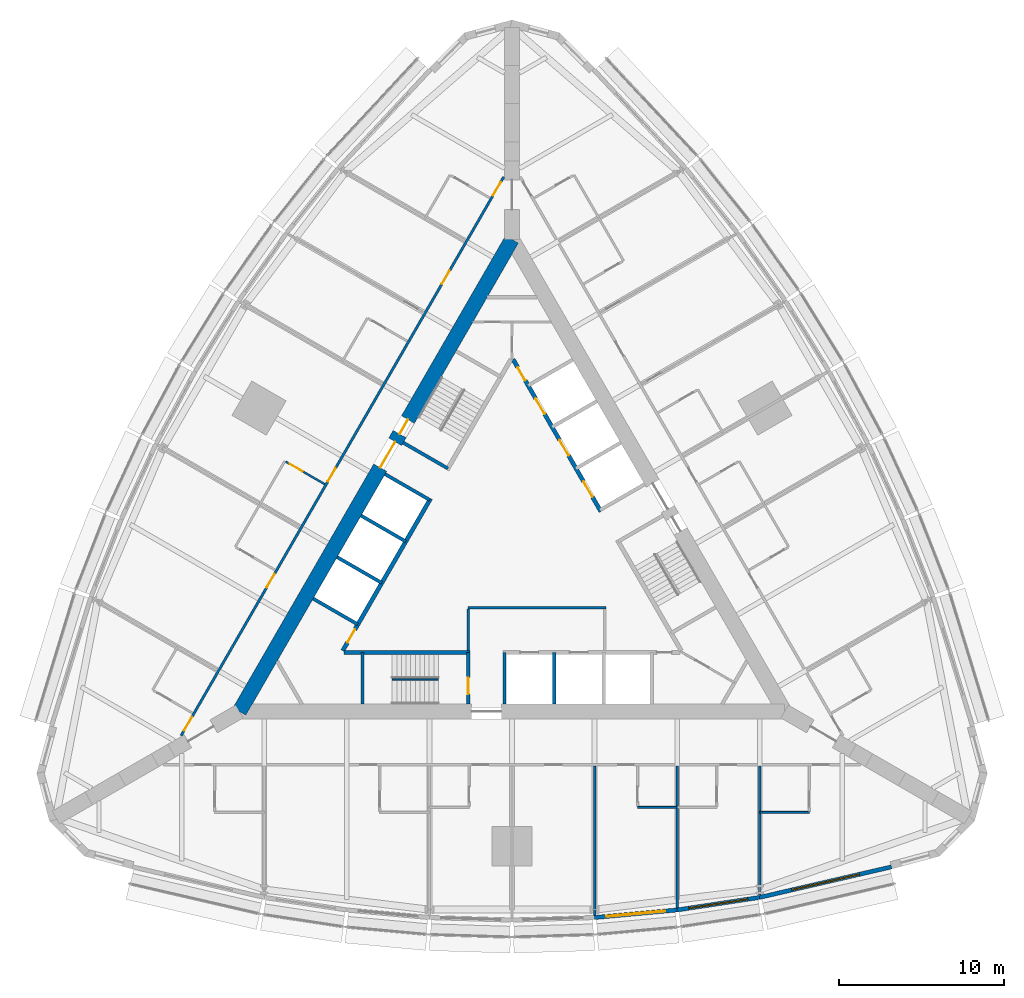
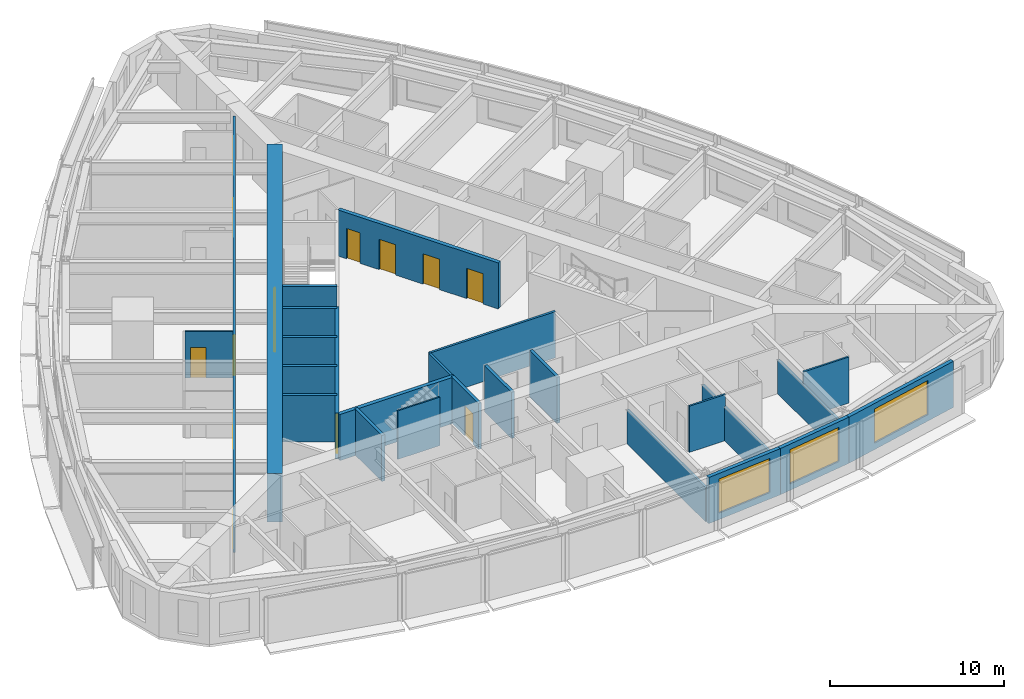
# One storey, part 9 of 14: 26 walls, 14 doors, 3 windows, 17 openings.
"""IFC4 building model written with IfcOpenShell, lengths in metres."""

from ifc_helpers import new_model, si_unit, direction, frame, frame_2d, origin, place, context, subcontext, project, spatial, rectangle, extrude, material, layer, layer_set, type_object, element, fill, save


model = new_model("IFC4")

# Units and contexts
model_context = context("Model", 3, precision=1e-05, world=origin(), true_north=direction((0.0, 1.0)))
body_context = subcontext(model_context, "Body", "Model", "MODEL_VIEW")
ifc_project = project(units=[si_unit("LENGTHUNIT", "METRE"), si_unit("AREAUNIT", "SQUARE_METRE"), si_unit("VOLUMEUNIT", "CUBIC_METRE"), si_unit("PLANEANGLEUNIT", "RADIAN"), si_unit("MASSUNIT", "GRAM", prefix="KILO")], contexts=[model_context])

# Site, building, storey
site_placement = place(None, origin())
site = spatial("IfcSite", under=ifc_project, at=site_placement, CompositionType="ELEMENT")
building_placement = place(site_placement, origin())
building = spatial("IfcBuilding", under=site, at=building_placement, Name="Trikona Tower", CompositionType="ELEMENT")
storey_placement = place(building_placement, frame((0.0, 0.0, 89.699951171875)))
storey = spatial("IfcBuildingStorey", under=building, at=storey_placement, Name="L23", CompositionType="ELEMENT", Elevation=89.699951171875)

# Walls
ifc_material_1 = material(Name="Metal stud and cement board", Category="gypsum")
ifc_layer_1 = layer(ifc_material_1, 0.1201171875)
ifc_layer_set_1 = layer_set([ifc_layer_1], Name="Bathroom wall 120")
wall_type_1 = type_object("IfcWallType", Name="Bathroom wall 120", PredefinedType="PLUMBINGWALL", material=ifc_layer_set_1)
wall_1_placement = place(storey_placement, frame((7.60009765625, -15.326416015625, 0.0), z_axis=(0.0, 0.0, 1.0), x_axis=(1.0, 0.0, 0.0)))
element("IfcWall", 1, at=wall_1_placement, inside=storey, type_object=wall_type_1, Name="Bathroom wall 2304", PredefinedType="PLUMBINGWALL", context=body_context, shape_type="SweptSolid", body=[
    extrude(rectangle(XDim=2.39990234375, YDim=0.1201171875, at=frame_2d((1.199951171875, 0.0))), origin(), (0.0, 0.0, 1.0), 3.235107421875),
])
wall_2_placement = place(storey_placement, frame((15.0, -15.626220703125, 0.0), z_axis=(0.0, 0.0, 1.0), x_axis=(1.0, 0.0, 0.0)))
element("IfcWall", 2, at=wall_2_placement, inside=storey, type_object=wall_type_1, Name="Bathroom wall 2306", PredefinedType="PLUMBINGWALL", context=body_context, shape_type="SweptSolid", body=[
    extrude(rectangle(XDim=3.0, YDim=0.1201171875, at=frame_2d((1.5, 0.0))), origin(), (0.0, 0.0, 1.0), 3.235107421875),
])

# Wall, opening, door
wall_3_placement = place(storey_placement, frame((-11.32861328125, 4.231201171875, 0.0), z_axis=(0.0, 0.0, 1.0), x_axis=(-0.866035715982, 0.499982138324, 0.0)))
wall_3 = element("IfcWall", 3, at=wall_3_placement, inside=storey, type_object=wall_type_1, Name="Bathroom wall 2314", PredefinedType="PLUMBINGWALL", context=body_context, shape_type="SweptSolid", body=[
    extrude(rectangle(XDim=2.73974609375, YDim=0.1201171875, at=frame_2d((1.369873046875, 0.0))), origin(), (0.0, 0.0, 1.0), 3.235107421875),
])
opening_1_placement = place(wall_3_placement, frame((1.550048828125, 0.0, 0.0)))
opening_1 = element("IfcOpeningElement", 4, at=opening_1_placement, cuts=wall_3, Name="Opening D2", PredefinedType="OPENING", context=body_context, shape_type="SweptSolid", body=[
    extrude(rectangle(XDim=0.89990234375, YDim=2.1298828125, at=frame_2d((0.449951171875, 1.06494140625))), frame((0.0, 0.070068359375, 0.0), z_axis=(0.0, -1.0, 0.0), x_axis=(1.0, 0.0, 0.0)), (0.0, 0.0, 1.0), 0.14013671875),
])
ifc_material_2 = material(Name="Steel door frame with solid-core timber leaf", Category="steel")
door_type_1 = type_object("IfcDoorType", Name="Bathroom door 900x2130", OperationType="SLIDING_TO_LEFT", PredefinedType="DOOR", material=ifc_material_2)
door_1_placement = place(opening_1_placement, origin())
door_1 = element("IfcDoor", 5, at=door_1_placement, inside=storey, type_object=door_type_1, Name="Bathroom door 2314", OperationType="SLIDING_TO_LEFT", OverallHeight=2.1298828125, OverallWidth=0.89990234375, PredefinedType="DOOR", context=body_context, shape_type="SweptSolid", body=[
    extrude(rectangle(XDim=0.89990234375, YDim=2.1298828125, at=frame_2d((0.449951171875, 1.06494140625))), frame((0.0, 0.02490234375, 0.0), z_axis=(0.0, -1.0, 0.0), x_axis=(1.0, 0.0, 0.0)), (0.0, 0.0, 1.0), 0.050048828125),
])
fill(opening_1, door_1)

# Wall, openings, doors
ifc_material_3 = material(Name="Concrete f'c 10000 psi", Category="concrete")
ifc_layer_2 = layer(ifc_material_3, 0.89990234375)
ifc_layer_set_2 = layer_set([ifc_layer_2], Name="Core wall 900")
wall_type_2 = type_object("IfcWallType", Name="Core wall 900", PredefinedType="SHEAR", material=ifc_layer_set_2)
wall_4_placement = place(storey_placement, frame((0.0, 19.052490234375, 0.0), z_axis=(0.0, 0.0, 1.0), x_axis=(-0.499999749417, -0.866025548458, 0.0)))
wall_4 = element("IfcWall", 6, at=wall_4_placement, inside=storey, type_object=wall_type_2, Name="Core wall C", PredefinedType="SHEAR", context=body_context, shape_type="SweptSolid", body=[
    extrude(rectangle(XDim=33.0, YDim=0.89990234375, at=frame_2d((16.5, 0.0))), origin(), (0.0, 0.0, 1.0), 3.400146484375),
])
opening_2_placement = place(wall_4_placement, frame((14.14990234375, 0.0, 0.0)))
opening_2 = element("IfcOpeningElement", 7, at=opening_2_placement, cuts=wall_4, Name="Opening D6", PredefinedType="OPENING", context=body_context, shape_type="SweptSolid", body=[
    extrude(rectangle(XDim=1.800048828125, YDim=2.1298828125, at=frame_2d((0.89990234375, 1.06494140625))), frame((0.0, 0.4599609375, 0.0), z_axis=(0.0, -1.0, 0.0), x_axis=(1.0, 0.0, 0.0)), (0.0, 0.0, 1.0), 0.919921875),
])
opening_3_placement = place(wall_4_placement, frame((12.60009765625, 0.0, 0.0)))
opening_3 = element("IfcOpeningElement", 8, at=opening_3_placement, cuts=wall_4, Name="Opening D5", PredefinedType="OPENING", context=body_context, shape_type="SweptSolid", body=[
    extrude(rectangle(XDim=1.0, YDim=2.1298828125, at=frame_2d((0.5, 1.06494140625))), frame((0.0, 0.4599609375, 0.0), z_axis=(0.0, -1.0, 0.0), x_axis=(1.0, 0.0, 0.0)), (0.0, 0.0, 1.0), 0.919921875),
])
ifc_material_4 = material(Name="Hollow metal door and frame", Category="steel")
door_type_2 = type_object("IfcDoorType", Name="Lobby door pair 1800x2130", OperationType="DOUBLE_DOOR_SINGLE_SWING", PredefinedType="DOOR", material=ifc_material_4)
door_2_placement = place(opening_2_placement, origin())
door_2 = element("IfcDoor", 9, at=door_2_placement, inside=storey, type_object=door_type_2, Name="Lift lobby door C", OperationType="DOUBLE_DOOR_SINGLE_SWING", OverallHeight=2.1298828125, OverallWidth=1.800048828125, PredefinedType="DOOR", context=body_context, shape_type="SweptSolid", body=[
    extrude(rectangle(XDim=1.800048828125, YDim=2.1298828125, at=frame_2d((0.89990234375, 1.06494140625))), frame((0.0, 0.02490234375, 0.0), z_axis=(0.0, -1.0, 0.0), x_axis=(1.0, 0.0, 0.0)), (0.0, 0.0, 1.0), 0.050048828125),
])
fill(opening_2, door_2)
ifc_material_5 = material(Name="Hollow metal door and frame", Category="steel")
door_type_3 = type_object("IfcDoorType", Name="Stair door 1000x2130", OperationType="SINGLE_SWING_LEFT", PredefinedType="DOOR", material=ifc_material_5)
door_3_placement = place(opening_3_placement, origin())
door_3 = element("IfcDoor", 10, at=door_3_placement, inside=storey, type_object=door_type_3, Name="Stair C door", OperationType="SINGLE_SWING_RIGHT", OverallHeight=2.1298828125, OverallWidth=1.0, PredefinedType="DOOR", context=body_context, shape_type="SweptSolid", body=[
    extrude(rectangle(XDim=1.0, YDim=2.1298828125, at=frame_2d((0.5, 1.06494140625))), frame((0.0, 0.02490234375, 0.0), z_axis=(0.0, -1.0, 0.0), x_axis=(1.0, 0.0, 0.0)), (0.0, 0.0, 1.0), 0.050048828125),
])
fill(opening_3, door_3)

ifc_material_6 = material(Name="Metal stud and gypsum board, 1-hour", Category="gypsum")
ifc_layer_3 = layer(ifc_material_6, 0.14990234375)
ifc_layer_set_3 = layer_set([ifc_layer_3], Name="Corridor wall 150")
wall_type_3 = type_object("IfcWallType", Name="Corridor wall 150", PredefinedType="PARTITIONING", material=ifc_layer_set_3)
wall_5_placement = place(storey_placement, frame((-0.5, 22.83642578125, 0.0), z_axis=(0.0, 0.0, 1.0), x_axis=(-0.500001677587, -0.866024435227, 0.0)))
wall_5 = element("IfcWall", 11, at=wall_5_placement, inside=storey, type_object=wall_type_3, Name="Corridor wall L23-3", PredefinedType="PARTITIONING", context=body_context, shape_type="SweptSolid", body=[
    extrude(rectangle(XDim=39.053955078125, YDim=0.14990234375, at=frame_2d((19.52685546875, 0.0))), origin(), (0.0, 0.0, 1.0), 3.235107421875),
])
opening_4_placement = place(wall_5_placement, frame((0.35205078125, 0.0, 0.0)))
opening_4 = element("IfcOpeningElement", 12, at=opening_4_placement, cuts=wall_5, Name="Opening D1", PredefinedType="OPENING", context=body_context, shape_type="SweptSolid", body=[
    extrude(rectangle(XDim=0.949951171875, YDim=2.1298828125, at=frame_2d((0.47509765625, 1.06494140625))), frame((0.0, 0.0849609375, 0.0), z_axis=(0.0, -1.0, 0.0), x_axis=(1.0, 0.0, 0.0)), (0.0, 0.0, 1.0), 0.169921875),
])
opening_5_placement = place(wall_5_placement, frame((6.552001953125, 0.0, 0.0)))
opening_5 = element("IfcOpeningElement", 13, at=opening_5_placement, cuts=wall_5, Name="Opening D1", PredefinedType="OPENING", context=body_context, shape_type="SweptSolid", body=[
    extrude(rectangle(XDim=0.949951171875, YDim=2.1298828125, at=frame_2d((0.47509765625, 1.06494140625))), frame((0.0, 0.0849609375, 0.0), z_axis=(0.0, -1.0, 0.0), x_axis=(1.0, 0.0, 0.0)), (0.0, 0.0, 1.0), 0.169921875),
])
opening_6_placement = place(wall_5_placement, frame((20.35205078125, 0.0, 0.0)))
opening_6 = element("IfcOpeningElement", 14, at=opening_6_placement, cuts=wall_5, Name="Opening D1", PredefinedType="OPENING", context=body_context, shape_type="SweptSolid", body=[
    extrude(rectangle(XDim=0.949951171875, YDim=2.1298828125, at=frame_2d((0.47509765625, 1.06494140625))), frame((0.0, 0.0849609375, 0.0), z_axis=(0.0, -1.0, 0.0), x_axis=(1.0, 0.0, 0.0)), (0.0, 0.0, 1.0), 0.169921875),
])
opening_7_placement = place(wall_5_placement, frame((27.751953125, 0.0, 0.0)))
opening_7 = element("IfcOpeningElement", 15, at=opening_7_placement, cuts=wall_5, Name="Opening D1", PredefinedType="OPENING", context=body_context, shape_type="SweptSolid", body=[
    extrude(rectangle(XDim=0.949951171875, YDim=2.1298828125, at=frame_2d((0.47509765625, 1.06494140625))), frame((0.0, 0.0849609375, 0.0), z_axis=(0.0, -1.0, 0.0), x_axis=(1.0, 0.0, 0.0)), (0.0, 0.0, 1.0), 0.169921875),
])
opening_8_placement = place(wall_5_placement, frame((37.751953125, 0.0, 0.0)))
opening_8 = element("IfcOpeningElement", 16, at=opening_8_placement, cuts=wall_5, Name="Opening D1", PredefinedType="OPENING", context=body_context, shape_type="SweptSolid", body=[
    extrude(rectangle(XDim=0.949951171875, YDim=2.1298828125, at=frame_2d((0.47509765625, 1.06494140625))), frame((0.0, 0.0849609375, 0.0), z_axis=(0.0, -1.0, 0.0), x_axis=(1.0, 0.0, 0.0)), (0.0, 0.0, 1.0), 0.169921875),
])
ifc_material_7 = material(Name="Steel door frame with solid-core timber leaf", Category="steel")
door_type_4 = type_object("IfcDoorType", Name="Guest room door 950x2130", OperationType="SINGLE_SWING_LEFT", PredefinedType="DOOR", material=ifc_material_7)
door_4_placement = place(opening_4_placement, origin())
door_4 = element("IfcDoor", 17, at=door_4_placement, inside=storey, type_object=door_type_4, Name="Room door 2312", OperationType="SINGLE_SWING_LEFT", OverallHeight=2.1298828125, OverallWidth=0.949951171875, PredefinedType="DOOR", context=body_context, shape_type="SweptSolid", body=[
    extrude(rectangle(XDim=0.949951171875, YDim=2.1298828125, at=frame_2d((0.47509765625, 1.06494140625))), frame((0.0, 0.02490234375, 0.0), z_axis=(0.0, -1.0, 0.0), x_axis=(1.0, 0.0, 0.0)), (0.0, 0.0, 1.0), 0.050048828125),
])
fill(opening_4, door_4)
door_5_placement = place(opening_5_placement, origin())
door_5 = element("IfcDoor", 18, at=door_5_placement, inside=storey, type_object=door_type_4, Name="Room door 2313", OperationType="SINGLE_SWING_RIGHT", OverallHeight=2.1298828125, OverallWidth=0.949951171875, PredefinedType="DOOR", context=body_context, shape_type="SweptSolid", body=[
    extrude(rectangle(XDim=0.949951171875, YDim=2.1298828125, at=frame_2d((0.47509765625, 1.06494140625))), frame((0.0, 0.02490234375, 0.0), z_axis=(0.0, -1.0, 0.0), x_axis=(1.0, 0.0, 0.0)), (0.0, 0.0, 1.0), 0.050048828125),
])
fill(opening_5, door_5)
door_6_placement = place(opening_6_placement, origin())
door_6 = element("IfcDoor", 19, at=door_6_placement, inside=storey, type_object=door_type_4, Name="Room door 2314", OperationType="SINGLE_SWING_LEFT", OverallHeight=2.1298828125, OverallWidth=0.949951171875, PredefinedType="DOOR", context=body_context, shape_type="SweptSolid", body=[
    extrude(rectangle(XDim=0.949951171875, YDim=2.1298828125, at=frame_2d((0.47509765625, 1.06494140625))), frame((0.0, 0.02490234375, 0.0), z_axis=(0.0, -1.0, 0.0), x_axis=(1.0, 0.0, 0.0)), (0.0, 0.0, 1.0), 0.050048828125),
])
fill(opening_6, door_6)
door_7_placement = place(opening_7_placement, origin())
door_7 = element("IfcDoor", 20, at=door_7_placement, inside=storey, type_object=door_type_4, Name="Room door 2315", OperationType="SINGLE_SWING_RIGHT", OverallHeight=2.1298828125, OverallWidth=0.949951171875, PredefinedType="DOOR", context=body_context, shape_type="SweptSolid", body=[
    extrude(rectangle(XDim=0.949951171875, YDim=2.1298828125, at=frame_2d((0.47509765625, 1.06494140625))), frame((0.0, 0.02490234375, 0.0), z_axis=(0.0, -1.0, 0.0), x_axis=(1.0, 0.0, 0.0)), (0.0, 0.0, 1.0), 0.050048828125),
])
fill(opening_7, door_7)
door_8_placement = place(opening_8_placement, origin())
door_8 = element("IfcDoor", 21, at=door_8_placement, inside=storey, type_object=door_type_4, Name="Room door 2316", OperationType="SINGLE_SWING_RIGHT", OverallHeight=2.1298828125, OverallWidth=0.949951171875, PredefinedType="DOOR", context=body_context, shape_type="SweptSolid", body=[
    extrude(rectangle(XDim=0.949951171875, YDim=2.1298828125, at=frame_2d((0.47509765625, 1.06494140625))), frame((0.0, 0.02490234375, 0.0), z_axis=(0.0, -1.0, 0.0), x_axis=(1.0, 0.0, 0.0)), (0.0, 0.0, 1.0), 0.050048828125),
])
fill(opening_8, door_8)

# Wall
ifc_material_8 = material(Name="Concrete f'c 8000 psi", Category="concrete")
ifc_layer_4 = layer(ifc_material_8, 0.25)
ifc_layer_set_4 = layer_set([ifc_layer_4], Name="Hub wall 250")
wall_type_4 = type_object("IfcWallType", Name="Hub wall 250", PredefinedType="SOLIDWALL", material=ifc_layer_set_4)
wall_6_placement = place(storey_placement, frame((-10.182861328125, -5.951416015625, 0.0), z_axis=(0.0, 0.0, 1.0), x_axis=(1.0, 0.0, 0.0)))
element("IfcWall", 22, at=wall_6_placement, inside=storey, type_object=wall_type_4, Name="Lift lobby wall A1", PredefinedType="SOLIDWALL", context=body_context, shape_type="SweptSolid", body=[
    extrude(rectangle(XDim=7.6328125, YDim=0.25, at=frame_2d((3.81640625, 0.0))), origin(), (0.0, 0.0, 1.0), 3.235107421875),
])

# Wall, openings, doors
wall_7_placement = place(storey_placement, frame((5.37890625, 2.5859375, 0.0), z_axis=(0.0, 0.0, 1.0), x_axis=(-0.500001375892, 0.866024609411, 0.0)))
wall_7 = element("IfcWall", 23, at=wall_7_placement, inside=storey, type_object=wall_type_4, Name="Lift lobby wall B2", PredefinedType="SOLIDWALL", context=body_context, shape_type="SweptSolid", body=[
    extrude(rectangle(XDim=10.6328125, YDim=0.25, at=frame_2d((5.31640625, 0.0))), origin(), (0.0, 0.0, 1.0), 3.235107421875),
])
opening_9_placement = place(wall_7_placement, frame((9.1640625, 0.0, 0.0)))
opening_9 = element("IfcOpeningElement", 24, at=opening_9_placement, cuts=wall_7, Name="Opening D14", PredefinedType="OPENING", context=body_context, shape_type="SweptSolid", body=[
    extrude(rectangle(XDim=0.89990234375, YDim=2.1298828125, at=frame_2d((0.449951171875, 1.06494140625))), frame((0.0, 0.135009765625, 0.0), z_axis=(0.0, -1.0, 0.0), x_axis=(1.0, 0.0, 0.0)), (0.0, 0.0, 1.0), 0.27001953125),
])
opening_10_placement = place(wall_7_placement, frame((1.0, 0.0, 0.0)))
opening_10 = element("IfcOpeningElement", 25, at=opening_10_placement, cuts=wall_7, Name="Opening LD", PredefinedType="OPENING", context=body_context, shape_type="SweptSolid", body=[
    extrude(rectangle(XDim=1.10009765625, YDim=2.1298828125, at=frame_2d((0.550048828125, 1.06494140625))), frame((0.0, 0.135009765625, 0.0), z_axis=(0.0, -1.0, 0.0), x_axis=(1.0, 0.0, 0.0)), (0.0, 0.0, 1.0), 0.27001953125),
])
opening_11_placement = place(wall_7_placement, frame((3.89990234375, 0.0, 0.0)))
opening_11 = element("IfcOpeningElement", 26, at=opening_11_placement, cuts=wall_7, Name="Opening LD", PredefinedType="OPENING", context=body_context, shape_type="SweptSolid", body=[
    extrude(rectangle(XDim=1.10009765625, YDim=2.1298828125, at=frame_2d((0.550048828125, 1.06494140625))), frame((0.0, 0.135009765625, 0.0), z_axis=(0.0, -1.0, 0.0), x_axis=(1.0, 0.0, 0.0)), (0.0, 0.0, 1.0), 0.27001953125),
])
opening_12_placement = place(wall_7_placement, frame((6.800048828125, 0.0, 0.0)))
opening_12 = element("IfcOpeningElement", 27, at=opening_12_placement, cuts=wall_7, Name="Opening LD", PredefinedType="OPENING", context=body_context, shape_type="SweptSolid", body=[
    extrude(rectangle(XDim=1.10009765625, YDim=2.1298828125, at=frame_2d((0.550048828125, 1.06494140625))), frame((0.0, 0.135009765625, 0.0), z_axis=(0.0, -1.0, 0.0), x_axis=(1.0, 0.0, 0.0)), (0.0, 0.0, 1.0), 0.27001953125),
])
ifc_material_9 = material(Name="Stainless steel lift landing door", Category="steel")
door_type_5 = type_object("IfcDoorType", Name="Lift landing door 1100x2130", OperationType="DOUBLE_DOOR_SLIDING", PredefinedType="USERDEFINED", material=ifc_material_9)
door_9_placement = place(opening_10_placement, origin())
door_9 = element("IfcDoor", 28, at=door_9_placement, inside=storey, type_object=door_type_5, Name="Lift landing door L1-1", ObjectType="LIFT LANDING DOOR", OperationType="DOUBLE_DOOR_SLIDING", OverallHeight=2.1298828125, OverallWidth=1.10009765625, PredefinedType="USERDEFINED", context=body_context, shape_type="SweptSolid", body=[
    extrude(rectangle(XDim=1.10009765625, YDim=2.1298828125, at=frame_2d((0.550048828125, 1.06494140625))), frame((0.0, 0.02490234375, 0.0), z_axis=(0.0, -1.0, 0.0), x_axis=(1.0, 0.0, 0.0)), (0.0, 0.0, 1.0), 0.050048828125),
])
fill(opening_10, door_9)
door_10_placement = place(opening_11_placement, origin())
door_10 = element("IfcDoor", 29, at=door_10_placement, inside=storey, type_object=door_type_5, Name="Lift landing door L1-2", ObjectType="LIFT LANDING DOOR", OperationType="DOUBLE_DOOR_SLIDING", OverallHeight=2.1298828125, OverallWidth=1.10009765625, PredefinedType="USERDEFINED", context=body_context, shape_type="SweptSolid", body=[
    extrude(rectangle(XDim=1.10009765625, YDim=2.1298828125, at=frame_2d((0.550048828125, 1.06494140625))), frame((0.0, 0.02490234375, 0.0), z_axis=(0.0, -1.0, 0.0), x_axis=(1.0, 0.0, 0.0)), (0.0, 0.0, 1.0), 0.050048828125),
])
fill(opening_11, door_10)
door_11_placement = place(opening_12_placement, origin())
door_11 = element("IfcDoor", 30, at=door_11_placement, inside=storey, type_object=door_type_5, Name="Lift landing door L1-3", ObjectType="LIFT LANDING DOOR", OperationType="DOUBLE_DOOR_SLIDING", OverallHeight=2.1298828125, OverallWidth=1.10009765625, PredefinedType="USERDEFINED", context=body_context, shape_type="SweptSolid", body=[
    extrude(rectangle(XDim=1.10009765625, YDim=2.1298828125, at=frame_2d((0.550048828125, 1.06494140625))), frame((0.0, 0.02490234375, 0.0), z_axis=(0.0, -1.0, 0.0), x_axis=(1.0, 0.0, 0.0)), (0.0, 0.0, 1.0), 0.050048828125),
])
fill(opening_12, door_11)
ifc_material_10 = material(Name="Hollow metal door and frame", Category="steel")
door_type_6 = type_object("IfcDoorType", Name="Service room door 900x2130", OperationType="SINGLE_SWING_LEFT", PredefinedType="DOOR", material=ifc_material_10)
door_12_placement = place(opening_9_placement, origin())
door_12 = element("IfcDoor", 31, at=door_12_placement, inside=storey, type_object=door_type_6, Name="Door Housekeeping store HKS", OperationType="SINGLE_SWING_RIGHT", OverallHeight=2.1298828125, OverallWidth=0.89990234375, PredefinedType="DOOR", context=body_context, shape_type="SweptSolid", body=[
    extrude(rectangle(XDim=0.89990234375, YDim=2.1298828125, at=frame_2d((0.449951171875, 1.06494140625))), frame((0.0, 0.02490234375, 0.0), z_axis=(0.0, -1.0, 0.0), x_axis=(1.0, 0.0, 0.0)), (0.0, 0.0, 1.0), 0.050048828125),
])
fill(opening_9, door_12)

# Wall, opening, door
wall_8_placement = place(storey_placement, frame((-4.928955078125, 3.365478515625, 0.0), z_axis=(0.0, 0.0, 1.0), x_axis=(-0.499991433582, -0.866030349552, 0.0)))
wall_8 = element("IfcWall", 32, at=wall_8_placement, inside=storey, type_object=wall_type_4, Name="Lift lobby wall C2", PredefinedType="SOLIDWALL", context=body_context, shape_type="SweptSolid", body=[
    extrude(rectangle(XDim=10.633056640625, YDim=0.25, at=frame_2d((5.31640625, 0.0))), origin(), (0.0, 0.0, 1.0), 3.235107421875),
])
opening_13_placement = place(wall_8_placement, frame((9.1640625, 0.0, 0.0)))
opening_13 = element("IfcOpeningElement", 33, at=opening_13_placement, cuts=wall_8, Name="Opening D14", PredefinedType="OPENING", context=body_context, shape_type="SweptSolid", body=[
    extrude(rectangle(XDim=0.89990234375, YDim=2.1298828125, at=frame_2d((0.449951171875, 1.06494140625))), frame((0.0, 0.135009765625, 0.0), z_axis=(0.0, -1.0, 0.0), x_axis=(1.0, 0.0, 0.0)), (0.0, 0.0, 1.0), 0.27001953125),
])
door_13_placement = place(opening_13_placement, origin())
door_13 = element("IfcDoor", 34, at=door_13_placement, inside=storey, type_object=door_type_6, Name="Door Ice and vending ICE", OperationType="SINGLE_SWING_RIGHT", OverallHeight=2.1298828125, OverallWidth=0.89990234375, PredefinedType="DOOR", context=body_context, shape_type="SweptSolid", body=[
    extrude(rectangle(XDim=0.89990234375, YDim=2.1298828125, at=frame_2d((0.449951171875, 1.06494140625))), frame((0.0, 0.02490234375, 0.0), z_axis=(0.0, -1.0, 0.0), x_axis=(1.0, 0.0, 0.0)), (0.0, 0.0, 1.0), 0.050048828125),
])
fill(opening_13, door_13)

# Wall, opening, window
ifc_material_11 = material(Name="Insulated precast concrete spandrel panel", Category="concrete")
ifc_layer_5 = layer(ifc_material_11, 0.25)
ifc_layer_set_5 = layer_set([ifc_layer_5], Name="Inner skin wall 250")
wall_type_5 = type_object("IfcWallType", Name="Inner skin wall 250", PredefinedType="STANDARD", material=ifc_layer_set_5)
wall_9_placement = place(storey_placement, frame((4.988525390625, -21.995849609375, 0.0), z_axis=(0.0, 0.0, 1.0), x_axis=(0.995857256774, 0.090930325692, 0.0)))
wall_9 = element("IfcWall", 35, at=wall_9_placement, inside=storey, type_object=wall_type_5, Name="External wall L23-05", PredefinedType="STANDARD", context=body_context, shape_type="SweptSolid", body=[
    extrude(rectangle(XDim=5.020751953125, YDim=0.25, at=frame_2d((2.51025390625, 0.0))), origin(), (0.0, 0.0, 1.0), 3.235107421875),
])
opening_14_placement = place(wall_9_placement, frame((0.71044921875, 0.0, 0.449951171875)))
opening_14 = element("IfcOpeningElement", 36, at=opening_14_placement, cuts=wall_9, Name="Opening W3624", PredefinedType="OPENING", context=body_context, shape_type="SweptSolid", body=[
    extrude(rectangle(XDim=3.60009765625, YDim=2.39990234375, at=frame_2d((1.800048828125, 1.199951171875))), frame((0.0, 0.135009765625, 0.0), z_axis=(0.0, -1.0, 0.0), x_axis=(1.0, 0.0, 0.0)), (0.0, 0.0, 1.0), 0.27001953125),
])
ifc_material_12 = material(Name="Aluminium-framed double glazing", Category="aluminium")
window_type_1 = type_object("IfcWindowType", Name="Window 3600x2400", PartitioningType="SINGLE_PANEL", PredefinedType="WINDOW", material=ifc_material_12)
window_1_placement = place(opening_14_placement, origin())
window_1 = element("IfcWindow", 37, at=window_1_placement, inside=storey, type_object=window_type_1, Name="Window 2304", OverallHeight=2.39990234375, OverallWidth=3.60009765625, PartitioningType="SINGLE_PANEL", PredefinedType="WINDOW", context=body_context, shape_type="SweptSolid", body=[
    extrude(rectangle(XDim=3.60009765625, YDim=2.39990234375, at=frame_2d((1.800048828125, 1.199951171875))), frame((0.0, 0.030029296875, 0.0), z_axis=(0.0, -1.0, 0.0), x_axis=(1.0, 0.0, 0.0)), (0.0, 0.0, 1.0), 0.06005859375),
])
fill(opening_14, window_1)

wall_10_placement = place(storey_placement, frame((9.981201171875, -21.540283203125, 0.0), z_axis=(0.0, 0.0, 1.0), x_axis=(0.988615403399, 0.150464561152, 0.0)))
wall_10 = element("IfcWall", 38, at=wall_10_placement, inside=storey, type_object=wall_type_5, Name="External wall L23-06", PredefinedType="STANDARD", context=body_context, shape_type="SweptSolid", body=[
    extrude(rectangle(XDim=5.0576171875, YDim=0.25, at=frame_2d((2.52880859375, 0.0))), origin(), (0.0, 0.0, 1.0), 3.235107421875),
])
opening_15_placement = place(wall_10_placement, frame((0.728759765625, 0.0, 0.449951171875)))
opening_15 = element("IfcOpeningElement", 39, at=opening_15_placement, cuts=wall_10, Name="Opening W3624", PredefinedType="OPENING", context=body_context, shape_type="SweptSolid", body=[
    extrude(rectangle(XDim=3.60009765625, YDim=2.39990234375, at=frame_2d((1.800048828125, 1.199951171875))), frame((0.0, 0.135009765625, 0.0), z_axis=(0.0, -1.0, 0.0), x_axis=(1.0, 0.0, 0.0)), (0.0, 0.0, 1.0), 0.27001953125),
])
window_2_placement = place(opening_15_placement, origin())
window_2 = element("IfcWindow", 40, at=window_2_placement, inside=storey, type_object=window_type_1, Name="Window 2305", OverallHeight=2.39990234375, OverallWidth=3.60009765625, PartitioningType="SINGLE_PANEL", PredefinedType="WINDOW", context=body_context, shape_type="SweptSolid", body=[
    extrude(rectangle(XDim=3.60009765625, YDim=2.39990234375, at=frame_2d((1.800048828125, 1.199951171875))), frame((0.0, 0.030029296875, 0.0), z_axis=(0.0, -1.0, 0.0), x_axis=(1.0, 0.0, 0.0)), (0.0, 0.0, 1.0), 0.06005859375),
])
fill(opening_15, window_2)

wall_11_placement = place(storey_placement, frame((14.9716796875, -20.78125, 0.0), z_axis=(0.0, 0.0, 1.0), x_axis=(0.974279327392, 0.225343720163, 0.0)))
wall_11 = element("IfcWall", 41, at=wall_11_placement, inside=storey, type_object=wall_type_5, Name="External wall L23-07", PredefinedType="STANDARD", context=body_context, shape_type="SweptSolid", body=[
    extrude(rectangle(XDim=8.211181640625, YDim=0.25, at=frame_2d((4.10546875, 0.0))), origin(), (0.0, 0.0, 1.0), 3.235107421875),
])
opening_16_placement = place(wall_11_placement, frame((2.005615234375, 0.0, 0.449951171875)))
opening_16 = element("IfcOpeningElement", 42, at=opening_16_placement, cuts=wall_11, Name="Opening W4224", PredefinedType="OPENING", context=body_context, shape_type="SweptSolid", body=[
    extrude(rectangle(XDim=4.199951171875, YDim=2.39990234375, at=frame_2d((2.10009765625, 1.199951171875))), frame((0.0, 0.135009765625, 0.0), z_axis=(0.0, -1.0, 0.0), x_axis=(1.0, 0.0, 0.0)), (0.0, 0.0, 1.0), 0.27001953125),
])
ifc_material_13 = material(Name="Aluminium-framed double glazing", Category="aluminium")
window_type_2 = type_object("IfcWindowType", Name="Window 4200x2400", PartitioningType="SINGLE_PANEL", PredefinedType="WINDOW", material=ifc_material_13)
window_3_placement = place(opening_16_placement, origin())
window_3 = element("IfcWindow", 43, at=window_3_placement, inside=storey, type_object=window_type_2, Name="Window 2306", OverallHeight=2.39990234375, OverallWidth=4.199951171875, PartitioningType="SINGLE_PANEL", PredefinedType="WINDOW", context=body_context, shape_type="SweptSolid", body=[
    extrude(rectangle(XDim=4.199951171875, YDim=2.39990234375, at=frame_2d((2.10009765625, 1.199951171875))), frame((0.0, 0.030029296875, 0.0), z_axis=(0.0, -1.0, 0.0), x_axis=(1.0, 0.0, 0.0)), (0.0, 0.0, 1.0), 0.06005859375),
])
fill(opening_16, window_3)

# Walls
ifc_material_14 = material(Name="Metal stud and gypsum board, 2-hour shaft wall", Category="gypsum")
ifc_layer_6 = layer(ifc_material_14, 0.14990234375)
ifc_layer_set_6 = layer_set([ifc_layer_6], Name="Lobby wall 150")
wall_type_6 = type_object("IfcWallType", Name="Lobby wall 150", PredefinedType="PARTITIONING", material=ifc_layer_set_6)
wall_12_placement = place(storey_placement, frame((-2.64990234375, -3.251220703125, 0.0), z_axis=(0.0, 0.0, 1.0), x_axis=(1.0, 0.0, 0.0)))
element("IfcWall", 44, at=wall_12_placement, inside=storey, type_object=wall_type_6, Name="Fire service lift lobby wall 1", PredefinedType="PARTITIONING", context=body_context, shape_type="SweptSolid", body=[
    extrude(rectangle(XDim=8.349853515625, YDim=0.14990234375, at=frame_2d((4.1748046875, 0.0))), origin(), (0.0, 0.0, 1.0), 3.235107421875),
])
wall_13_placement = place(storey_placement, frame((-2.64990234375, -5.826416015625, 0.0), z_axis=(0.0, 0.0, 1.0), x_axis=(0.0, 1.0, 0.0)))
element("IfcWall", 45, at=wall_13_placement, inside=storey, type_object=wall_type_6, Name="Fire service lift lobby wall 2", PredefinedType="PARTITIONING", context=body_context, shape_type="SweptSolid", body=[
    extrude(rectangle(XDim=2.5, YDim=0.14990234375, at=frame_2d((1.25, 0.0))), origin(), (0.0, 0.0, 1.0), 3.235107421875),
])
ifc_material_15 = material(Name="Metal stud and gypsum board, 1-hour acoustic", Category="gypsum")
ifc_layer_7 = layer(ifc_material_15, 0.14990234375)
ifc_layer_set_7 = layer_set([ifc_layer_7], Name="Party wall 150")
wall_type_7 = type_object("IfcWallType", Name="Party wall 150", PredefinedType="PARTITIONING", material=ifc_layer_set_7)
wall_14_placement = place(storey_placement, frame((5.0, -12.826416015625, 0.0), z_axis=(0.0, 0.0, 1.0), x_axis=(0.0, -1.0, 0.0)))
element("IfcWall", 46, at=wall_14_placement, inside=storey, type_object=wall_type_7, Name="Partition L23 F1 u5", PredefinedType="PARTITIONING", context=body_context, shape_type="SweptSolid", body=[
    extrude(rectangle(XDim=9.04296875, YDim=0.14990234375, at=frame_2d((4.521484375, 0.0))), origin(), (0.0, 0.0, 1.0), 2.38916015625),
])
wall_15_placement = place(storey_placement, frame((10.0, -12.826416015625, 0.0), z_axis=(0.0, 0.0, 1.0), x_axis=(0.0, -1.0, 0.0)))
element("IfcWall", 47, at=wall_15_placement, inside=storey, type_object=wall_type_7, Name="Partition L23 F1 u10", PredefinedType="PARTITIONING", context=body_context, shape_type="SweptSolid", body=[
    extrude(rectangle(XDim=8.58447265625, YDim=0.14990234375, at=frame_2d((4.292236328125, 0.0))), origin(), (0.0, 0.0, 1.0), 2.38916015625),
])
wall_16_placement = place(storey_placement, frame((15.0, -12.826416015625, 0.0), z_axis=(0.0, 0.0, 1.0), x_axis=(0.0, -1.0, 0.0)))
element("IfcWall", 48, at=wall_16_placement, inside=storey, type_object=wall_type_7, Name="Partition L23 F1 u15", PredefinedType="PARTITIONING", context=body_context, shape_type="SweptSolid", body=[
    extrude(rectangle(XDim=7.820068359375, YDim=0.14990234375, at=frame_2d((3.91015625, 0.0))), origin(), (0.0, 0.0, 1.0), 2.38916015625),
])
ifc_material_16 = material(Name="Concrete f'c 8000 psi", Category="concrete")
ifc_layer_8 = layer(ifc_material_16, 0.199951171875)
ifc_layer_set_8 = layer_set([ifc_layer_8], Name="Shaft wall 200")
wall_type_8 = type_object("IfcWallType", Name="Shaft wall 200", PredefinedType="SOLIDWALL", material=ifc_layer_set_8)
for number, where, z_axis, x_axis, name in (
    (49, (-0.449951171875, -5.951416015625, 0.0), (0.0, 0.0, 1.0), (0.0, -1.0, 0.0), "Shaft wall A3"),
    (50, (2.550048828125, -5.951416015625, 0.0), (0.0, 0.0, 1.0), (0.0, -1.0, 0.0), "Shaft wall A4"),
    (51, (-4.97900390625, 3.27880859375, 0.0), (0.0, 0.0, 1.0), (-0.866022959057, 0.500004234368, 0.0), "Shaft wall C3"),
    (52, (-6.428955078125, 0.767333984375, 0.0), (0.0, 0.0, 1.0), (-0.866022959057, 0.500004234368, 0.0), "Shaft wall C4"),
    (53, (-7.87890625, -1.744140625, 0.0), (0.0, 0.0, 1.0), (-0.866022959057, 0.500004234368, 0.0), "Shaft wall C5"),
    (54, (-9.3291015625, -4.255615234375, 0.0), (0.0, 0.0, 1.0), (-0.866022959057, 0.500004234368, 0.0), "Shaft wall C6"),
):
    element("IfcWall", number, at=place(storey_placement, frame(where, z_axis=z_axis, x_axis=x_axis)), inside=storey, type_object=wall_type_8, Name=name, PredefinedType="SOLIDWALL", context=body_context, shape_type="SweptSolid", body=[
        extrude(rectangle(XDim=3.125, YDim=0.199951171875, at=frame_2d((1.5625, 0.0))), origin(), (0.0, 0.0, 1.0), 3.235107421875),
    ])
ifc_material_17 = material(Name="Concrete f'c 8000 psi", Category="concrete")
ifc_layer_9 = layer(ifc_material_17, 0.199951171875)
ifc_layer_set_9 = layer_set([ifc_layer_9], Name="Shaft wall 200 load-bearing")
wall_type_9 = type_object("IfcWallType", Name="Shaft wall 200 load-bearing", PredefinedType="SOLIDWALL", material=ifc_layer_set_9)
wall_17_placement = place(storey_placement, frame((-9.050048828125, -5.951416015625, 0.0), z_axis=(0.0, 0.0, 1.0), x_axis=(0.0, -1.0, 0.0)))
element("IfcWall", 55, at=wall_17_placement, inside=storey, type_object=wall_type_9, Name="Shaft wall A1", PredefinedType="SOLIDWALL", context=body_context, shape_type="SweptSolid", body=[
    extrude(rectangle(XDim=3.125, YDim=0.199951171875, at=frame_2d((1.5625, 0.0))), origin(), (0.0, 0.0, 1.0), 3.235107421875),
])

# Wall, opening, door
wall_18_placement = place(storey_placement, frame((-2.64990234375, -5.951416015625, 0.0), z_axis=(0.0, 0.0, 1.0), x_axis=(0.0, -1.0, 0.0)))
wall_18 = element("IfcWall", 56, at=wall_18_placement, inside=storey, type_object=wall_type_9, Name="Shaft wall A2", PredefinedType="SOLIDWALL", context=body_context, shape_type="SweptSolid", body=[
    extrude(rectangle(XDim=3.125, YDim=0.199951171875, at=frame_2d((1.5625, 0.0))), origin(), (0.0, 0.0, 1.0), 3.235107421875),
])
opening_17_placement = place(wall_18_placement, frame((1.52490234375, 0.0, 0.0)))
opening_17 = element("IfcOpeningElement", 57, at=opening_17_placement, cuts=wall_18, Name="Opening D5", PredefinedType="OPENING", context=body_context, shape_type="SweptSolid", body=[
    extrude(rectangle(XDim=1.0, YDim=2.1298828125, at=frame_2d((0.5, 1.06494140625))), frame((0.0, 0.10986328125, 0.0), z_axis=(0.0, -1.0, 0.0), x_axis=(1.0, 0.0, 0.0)), (0.0, 0.0, 1.0), 0.219970703125),
])
door_14_placement = place(opening_17_placement, origin())
door_14 = element("IfcDoor", 58, at=door_14_placement, inside=storey, type_object=door_type_3, Name="Stair A door", OperationType="SINGLE_SWING_RIGHT", OverallHeight=2.1298828125, OverallWidth=1.0, PredefinedType="DOOR", context=body_context, shape_type="SweptSolid", body=[
    extrude(rectangle(XDim=1.0, YDim=2.1298828125, at=frame_2d((0.5, 1.06494140625))), frame((0.0, 0.02490234375, 0.0), z_axis=(0.0, -1.0, 0.0), x_axis=(1.0, 0.0, 0.0)), (0.0, 0.0, 1.0), 0.050048828125),
])
fill(opening_17, door_14)

# Walls
wall_19_placement = place(storey_placement, frame((-3.87890625, 5.18408203125, 0.0), z_axis=(0.0, 0.0, 1.0), x_axis=(-0.866022959057, 0.500004234368, 0.0)))
element("IfcWall", 59, at=wall_19_placement, inside=storey, type_object=wall_type_9, Name="Shaft wall C2", PredefinedType="SOLIDWALL", context=body_context, shape_type="SweptSolid", body=[
    extrude(rectangle(XDim=3.125, YDim=0.199951171875, at=frame_2d((1.5625, 0.0))), origin(), (0.0, 0.0, 1.0), 3.235107421875),
])
ifc_material_18 = material(Name="Concrete f'c 5000 psi", Category="concrete")
ifc_layer_10 = layer(ifc_material_18, 0.10009765625)
ifc_layer_set_10 = layer_set([ifc_layer_10], Name="Stair spine wall 100")
wall_type_10 = type_object("IfcWallType", Name="Stair spine wall 100", PredefinedType="SOLIDWALL", material=ifc_layer_set_10)
wall_20_placement = place(storey_placement, frame((-7.2470703125, -7.576416015625, 0.0), z_axis=(0.0, 0.0, 1.0), x_axis=(1.0, 0.0, 0.0)))
element("IfcWall", 60, at=wall_20_placement, inside=storey, type_object=wall_type_10, Name="Stair A spine wall L23", PredefinedType="SOLIDWALL", context=body_context, shape_type="SweptSolid", body=[
    extrude(rectangle(XDim=2.794189453125, YDim=0.10009765625, at=frame_2d((1.39697265625, 0.0))), origin(), (0.0, 0.0, 1.0), 3.400146484375),
])

save(model, "model.ifc")
